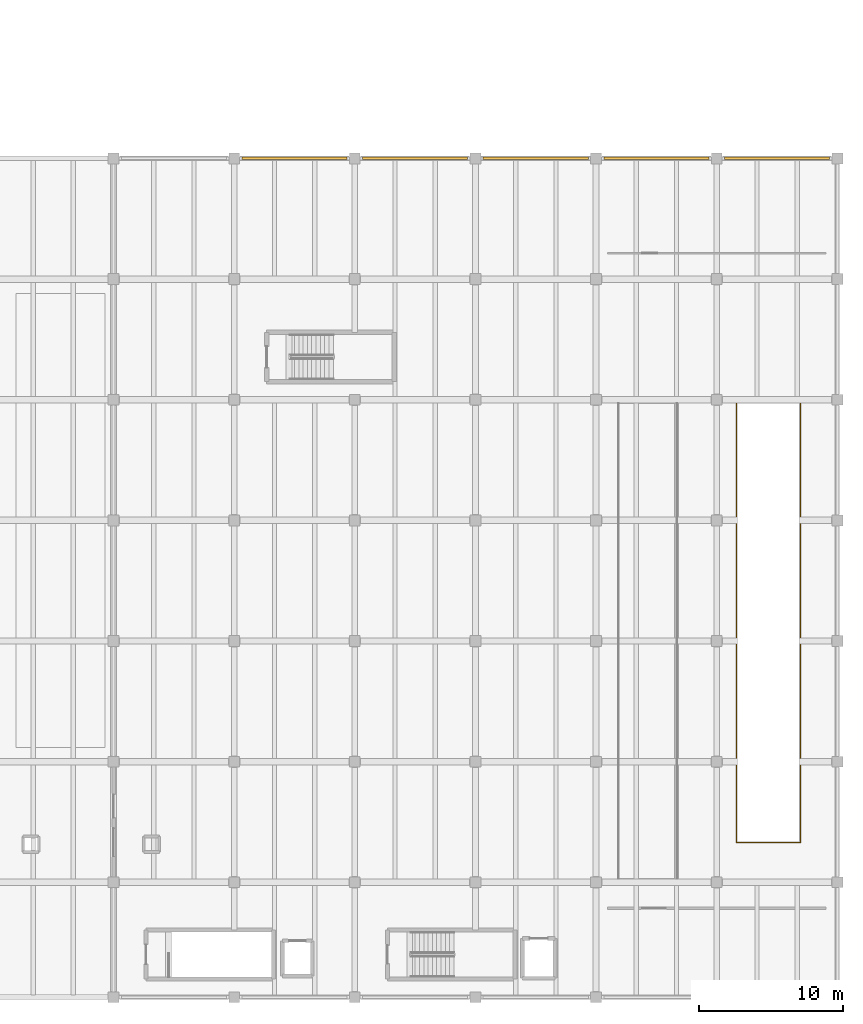
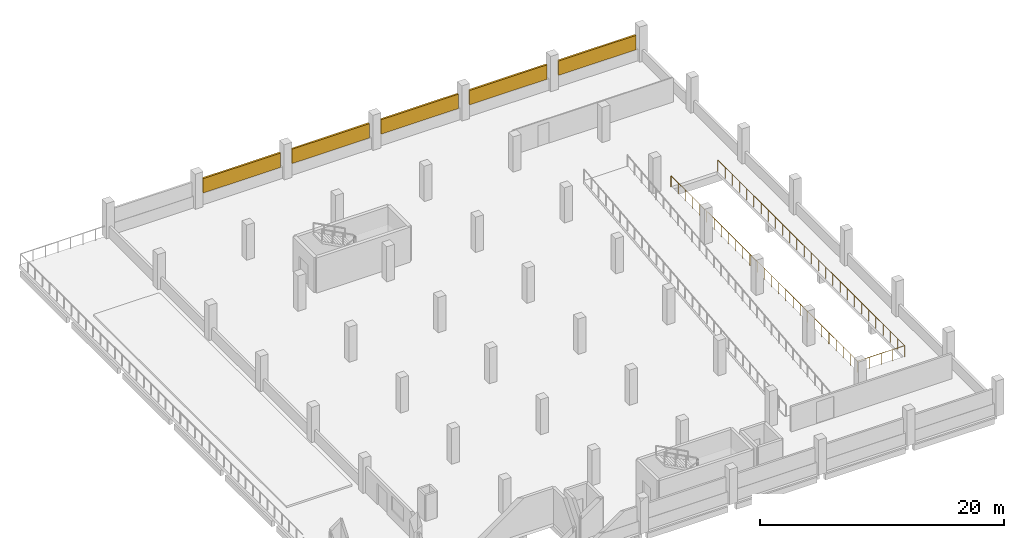
# One storey, part 95 of 95: 5 shading devices, 1 railing.
"""IFC4 building model written with IfcOpenShell, lengths in metres."""

from ifc_helpers import new_model, si_unit, direction, frame, origin, origin_2d, place, context, subcontext, project, spatial, rectangle, circle, extrude, material, type_object, element, save


model = new_model("IFC4")

# Units and contexts
model_context = context("Model", 3, precision=1e-05, world=origin(), true_north=direction((0.0, 1.0)))
body_context = subcontext(model_context, "Body", "Model", "MODEL_VIEW")
ifc_project = project(units=[si_unit("LENGTHUNIT", "METRE"), si_unit("AREAUNIT", "SQUARE_METRE"), si_unit("VOLUMEUNIT", "CUBIC_METRE"), si_unit("PLANEANGLEUNIT", "RADIAN"), si_unit("MASSUNIT", "GRAM", prefix="KILO"), si_unit("THERMODYNAMICTEMPERATUREUNIT", "KELVIN"), si_unit("POWERUNIT", "WATT")], contexts=[model_context])

# Site, building, storey
site_placement = place(None, origin())
site = spatial("IfcSite", under=ifc_project, at=site_placement, CompositionType="ELEMENT")
building_placement = place(site_placement, origin())
building = spatial("IfcBuilding", under=site, at=building_placement, Name="Mavoryth Pier Ferry Terminal", CompositionType="ELEMENT")
storey_placement = place(building_placement, frame((0.0, 0.0, 9.60009765625)))
storey = spatial("IfcBuildingStorey", under=building, at=storey_placement, Name="L02", CompositionType="ELEMENT", Elevation=9.60009765625)

# Railing
ifc_material_1 = material(Name="Galvanised Steel Vehicle-Deck Edge Guardrail", Category="steel")
railing_type = type_object("IfcRailingType", Name="Guard-Deck-Heavy1140", PredefinedType="GUARDRAIL", material=ifc_material_1)
railing_placement = place(storey_placement, frame((160.97998046875, 55.35009765625, 0.0)))
element("IfcRailing", 1, at=railing_placement, inside=storey, type_object=railing_type, Name="Guardrail GRD-L02-011", PredefinedType="GUARDRAIL", context=body_context, shape_type="SweptSolid", body=[
    extrude(circle(Radius=0.02392578125, at=origin_2d()), frame((0.0, 0.0, 1.11572265625), z_axis=(0.0, -1.0, 0.0), x_axis=(1.0, 0.0, 0.0)), (0.0, 0.0, 1.0), 30.580078125),
    extrude(circle(Radius=0.02392578125, at=origin_2d()), frame((0.0, -30.580078125, 1.11572265625), z_axis=(1.0, 0.0, 0.0), x_axis=(0.0, 1.0, 0.0)), (0.0, 0.0, 1.0), 4.43994140625),
    extrude(circle(Radius=0.02392578125, at=origin_2d()), frame((4.43994140625, -30.580078125, 1.11572265625), z_axis=(0.0, 1.0, 0.0), x_axis=(-1.0, 0.0, 0.0)), (0.0, 0.0, 1.0), 30.580078125),
    extrude(circle(Radius=0.02099609375, at=origin_2d()), origin(), (0.0, 0.0, 1.0), 1.091796875),
    extrude(circle(Radius=0.02099609375, at=origin_2d()), frame((0.0, -1.17626953125, 0.0)), (0.0, 0.0, 1.0), 1.091796875),
    extrude(circle(Radius=0.02099609375, at=origin_2d()), frame((0.0, -2.352294921875, 0.0)), (0.0, 0.0, 1.0), 1.091796875),
    extrude(circle(Radius=0.02099609375, at=origin_2d()), frame((0.0, -3.528564453125, 0.0)), (0.0, 0.0, 1.0), 1.091796875),
    extrude(circle(Radius=0.02099609375, at=origin_2d()), frame((0.0, -4.70458984375, 0.0)), (0.0, 0.0, 1.0), 1.091796875),
    extrude(circle(Radius=0.02099609375, at=origin_2d()), frame((0.0, -5.880859375, 0.0)), (0.0, 0.0, 1.0), 1.091796875),
    extrude(circle(Radius=0.02099609375, at=origin_2d()), frame((0.0, -7.056884765625, 0.0)), (0.0, 0.0, 1.0), 1.091796875),
    extrude(circle(Radius=0.02099609375, at=origin_2d()), frame((0.0, -8.233154296875, 0.0)), (0.0, 0.0, 1.0), 1.091796875),
    extrude(circle(Radius=0.02099609375, at=origin_2d()), frame((0.0, -9.4091796875, 0.0)), (0.0, 0.0, 1.0), 1.091796875),
    extrude(circle(Radius=0.02099609375, at=origin_2d()), frame((0.0, -10.58544921875, 0.0)), (0.0, 0.0, 1.0), 1.091796875),
    extrude(circle(Radius=0.02099609375, at=origin_2d()), frame((0.0, -11.761474609375, 0.0)), (0.0, 0.0, 1.0), 1.091796875),
    extrude(circle(Radius=0.02099609375, at=origin_2d()), frame((0.0, -12.937744140625, 0.0)), (0.0, 0.0, 1.0), 1.091796875),
    extrude(circle(Radius=0.02099609375, at=origin_2d()), frame((0.0, -14.11376953125, 0.0)), (0.0, 0.0, 1.0), 1.091796875),
    extrude(circle(Radius=0.02099609375, at=origin_2d()), frame((0.0, -15.2900390625, 0.0)), (0.0, 0.0, 1.0), 1.091796875),
    extrude(circle(Radius=0.02099609375, at=origin_2d()), frame((0.0, -16.46630859375, 0.0)), (0.0, 0.0, 1.0), 1.091796875),
    extrude(circle(Radius=0.02099609375, at=origin_2d()), frame((0.0, -17.642333984375, 0.0)), (0.0, 0.0, 1.0), 1.091796875),
    extrude(circle(Radius=0.02099609375, at=origin_2d()), frame((0.0, -18.818603515625, 0.0)), (0.0, 0.0, 1.0), 1.091796875),
    extrude(circle(Radius=0.02099609375, at=origin_2d()), frame((0.0, -19.99462890625, 0.0)), (0.0, 0.0, 1.0), 1.091796875),
    extrude(circle(Radius=0.02099609375, at=origin_2d()), frame((0.0, -21.1708984375, 0.0)), (0.0, 0.0, 1.0), 1.091796875),
    extrude(circle(Radius=0.02099609375, at=origin_2d()), frame((0.0, -22.346923828125, 0.0)), (0.0, 0.0, 1.0), 1.091796875),
    extrude(circle(Radius=0.02099609375, at=origin_2d()), frame((0.0, -23.523193359375, 0.0)), (0.0, 0.0, 1.0), 1.091796875),
    extrude(circle(Radius=0.02099609375, at=origin_2d()), frame((0.0, -24.69921875, 0.0)), (0.0, 0.0, 1.0), 1.091796875),
    extrude(circle(Radius=0.02099609375, at=origin_2d()), frame((0.0, -25.87548828125, 0.0)), (0.0, 0.0, 1.0), 1.091796875),
    extrude(circle(Radius=0.02099609375, at=origin_2d()), frame((0.0, -27.051513671875, 0.0)), (0.0, 0.0, 1.0), 1.091796875),
    extrude(circle(Radius=0.02099609375, at=origin_2d()), frame((0.0, -28.227783203125, 0.0)), (0.0, 0.0, 1.0), 1.091796875),
    extrude(circle(Radius=0.02099609375, at=origin_2d()), frame((0.0, -29.40380859375, 0.0)), (0.0, 0.0, 1.0), 1.091796875),
    extrude(circle(Radius=0.02099609375, at=origin_2d()), frame((0.0, -30.580078125, 0.0)), (0.0, 0.0, 1.0), 1.091796875),
    extrude(circle(Radius=0.02099609375, at=origin_2d()), frame((1.10986328125, -30.580078125, 0.0)), (0.0, 0.0, 1.0), 1.091796875),
    extrude(circle(Radius=0.02099609375, at=origin_2d()), frame((2.219970703125, -30.580078125, 0.0)), (0.0, 0.0, 1.0), 1.091796875),
    extrude(circle(Radius=0.02099609375, at=origin_2d()), frame((3.330078125, -30.580078125, 0.0)), (0.0, 0.0, 1.0), 1.091796875),
    extrude(circle(Radius=0.02099609375, at=origin_2d()), frame((4.43994140625, -30.580078125, 0.0)), (0.0, 0.0, 1.0), 1.091796875),
    extrude(circle(Radius=0.02099609375, at=origin_2d()), frame((4.43994140625, -29.40380859375, 0.0)), (0.0, 0.0, 1.0), 1.091796875),
    extrude(circle(Radius=0.02099609375, at=origin_2d()), frame((4.43994140625, -28.227783203125, 0.0)), (0.0, 0.0, 1.0), 1.091796875),
    extrude(circle(Radius=0.02099609375, at=origin_2d()), frame((4.43994140625, -27.051513671875, 0.0)), (0.0, 0.0, 1.0), 1.091796875),
    extrude(circle(Radius=0.02099609375, at=origin_2d()), frame((4.43994140625, -25.87548828125, 0.0)), (0.0, 0.0, 1.0), 1.091796875),
    extrude(circle(Radius=0.02099609375, at=origin_2d()), frame((4.43994140625, -24.69921875, 0.0)), (0.0, 0.0, 1.0), 1.091796875),
    extrude(circle(Radius=0.02099609375, at=origin_2d()), frame((4.43994140625, -23.523193359375, 0.0)), (0.0, 0.0, 1.0), 1.091796875),
    extrude(circle(Radius=0.02099609375, at=origin_2d()), frame((4.43994140625, -22.346923828125, 0.0)), (0.0, 0.0, 1.0), 1.091796875),
    extrude(circle(Radius=0.02099609375, at=origin_2d()), frame((4.43994140625, -21.1708984375, 0.0)), (0.0, 0.0, 1.0), 1.091796875),
    extrude(circle(Radius=0.02099609375, at=origin_2d()), frame((4.43994140625, -19.99462890625, 0.0)), (0.0, 0.0, 1.0), 1.091796875),
    extrude(circle(Radius=0.02099609375, at=origin_2d()), frame((4.43994140625, -18.818603515625, 0.0)), (0.0, 0.0, 1.0), 1.091796875),
    extrude(circle(Radius=0.02099609375, at=origin_2d()), frame((4.43994140625, -17.642333984375, 0.0)), (0.0, 0.0, 1.0), 1.091796875),
    extrude(circle(Radius=0.02099609375, at=origin_2d()), frame((4.43994140625, -16.46630859375, 0.0)), (0.0, 0.0, 1.0), 1.091796875),
    extrude(circle(Radius=0.02099609375, at=origin_2d()), frame((4.43994140625, -15.2900390625, 0.0)), (0.0, 0.0, 1.0), 1.091796875),
    extrude(circle(Radius=0.02099609375, at=origin_2d()), frame((4.43994140625, -14.11376953125, 0.0)), (0.0, 0.0, 1.0), 1.091796875),
    extrude(circle(Radius=0.02099609375, at=origin_2d()), frame((4.43994140625, -12.937744140625, 0.0)), (0.0, 0.0, 1.0), 1.091796875),
    extrude(circle(Radius=0.02099609375, at=origin_2d()), frame((4.43994140625, -11.761474609375, 0.0)), (0.0, 0.0, 1.0), 1.091796875),
    extrude(circle(Radius=0.02099609375, at=origin_2d()), frame((4.43994140625, -10.58544921875, 0.0)), (0.0, 0.0, 1.0), 1.091796875),
    extrude(circle(Radius=0.02099609375, at=origin_2d()), frame((4.43994140625, -9.4091796875, 0.0)), (0.0, 0.0, 1.0), 1.091796875),
    extrude(circle(Radius=0.02099609375, at=origin_2d()), frame((4.43994140625, -8.233154296875, 0.0)), (0.0, 0.0, 1.0), 1.091796875),
    extrude(circle(Radius=0.02099609375, at=origin_2d()), frame((4.43994140625, -7.056884765625, 0.0)), (0.0, 0.0, 1.0), 1.091796875),
    extrude(circle(Radius=0.02099609375, at=origin_2d()), frame((4.43994140625, -5.880859375, 0.0)), (0.0, 0.0, 1.0), 1.091796875),
    extrude(circle(Radius=0.02099609375, at=origin_2d()), frame((4.43994140625, -4.70458984375, 0.0)), (0.0, 0.0, 1.0), 1.091796875),
    extrude(circle(Radius=0.02099609375, at=origin_2d()), frame((4.43994140625, -3.528564453125, 0.0)), (0.0, 0.0, 1.0), 1.091796875),
    extrude(circle(Radius=0.02099609375, at=origin_2d()), frame((4.43994140625, -2.352294921875, 0.0)), (0.0, 0.0, 1.0), 1.091796875),
    extrude(circle(Radius=0.02099609375, at=origin_2d()), frame((4.43994140625, -1.17626953125, 0.0)), (0.0, 0.0, 1.0), 1.091796875),
    extrude(circle(Radius=0.02099609375, at=origin_2d()), frame((4.43994140625, 0.0, 0.0)), (0.0, 0.0, 1.0), 1.091796875),
])

# Shading devices
ifc_material_2 = material(Name="Perforated Glazed Ceramic Solar Screen")
shading_device_type = type_object("IfcShadingDeviceType", Name="Screen-Ceramic-Bay6400x1700", PredefinedType="JALOUSIE", material=ifc_material_2)
for number, where, z_axis, x_axis, name in (
    (2, (130.199951171875, 72.39990234375, 1.14990234375), (0.0, 0.0, 1.0), (1.0, 0.0, 0.0), "Perforated Glazed Ceramic Solar Screen 18"),
    (3, (138.60009765625, 72.39990234375, 1.14990234375), (0.0, 0.0, 1.0), (1.0, 0.0, 0.0), "Perforated Glazed Ceramic Solar Screen 20"),
    (4, (147.0, 72.39990234375, 1.14990234375), (0.0, 0.0, 1.0), (1.0, 0.0, 0.0), "Perforated Glazed Ceramic Solar Screen 22"),
    (5, (155.39990234375, 72.39990234375, 1.14990234375), (0.0, 0.0, 1.0), (1.0, 0.0, 0.0), "Perforated Glazed Ceramic Solar Screen 24"),
    (6, (163.800048828125, 72.39990234375, 1.14990234375), (0.0, 0.0, 1.0), (1.0, 0.0, 0.0), "Perforated Glazed Ceramic Solar Screen 26"),
):
    element("IfcShadingDevice", number, at=place(storey_placement, frame(where, z_axis=z_axis, x_axis=x_axis)), inside=storey, type_object=shading_device_type, Name=name, PredefinedType="JALOUSIE", context=body_context, shape_type="SweptSolid", body=[
        extrude(rectangle(XDim=7.320068359375, YDim=0.179931640625, at=origin_2d()), origin(), (0.0, 0.0, 1.0), 1.43505859375),
    ])

save(model, "model.ifc")
